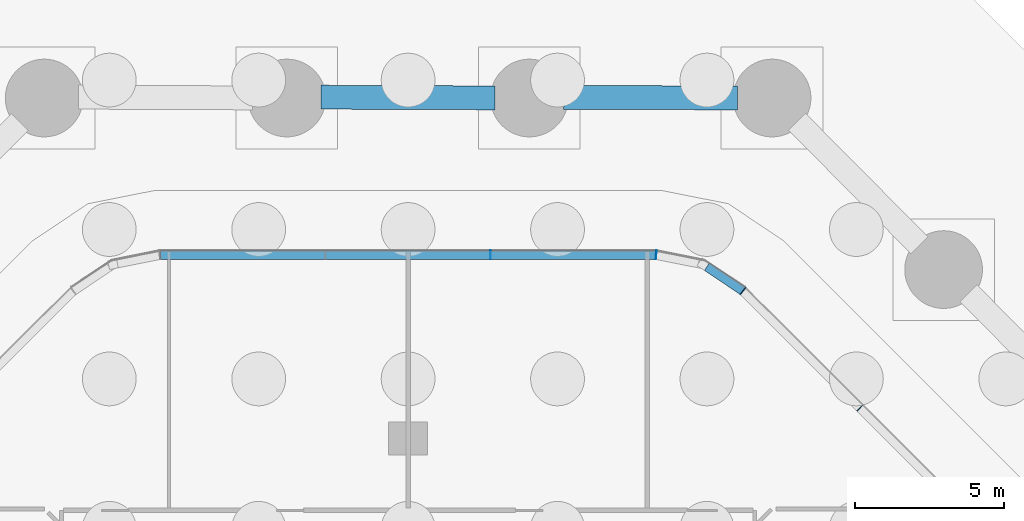
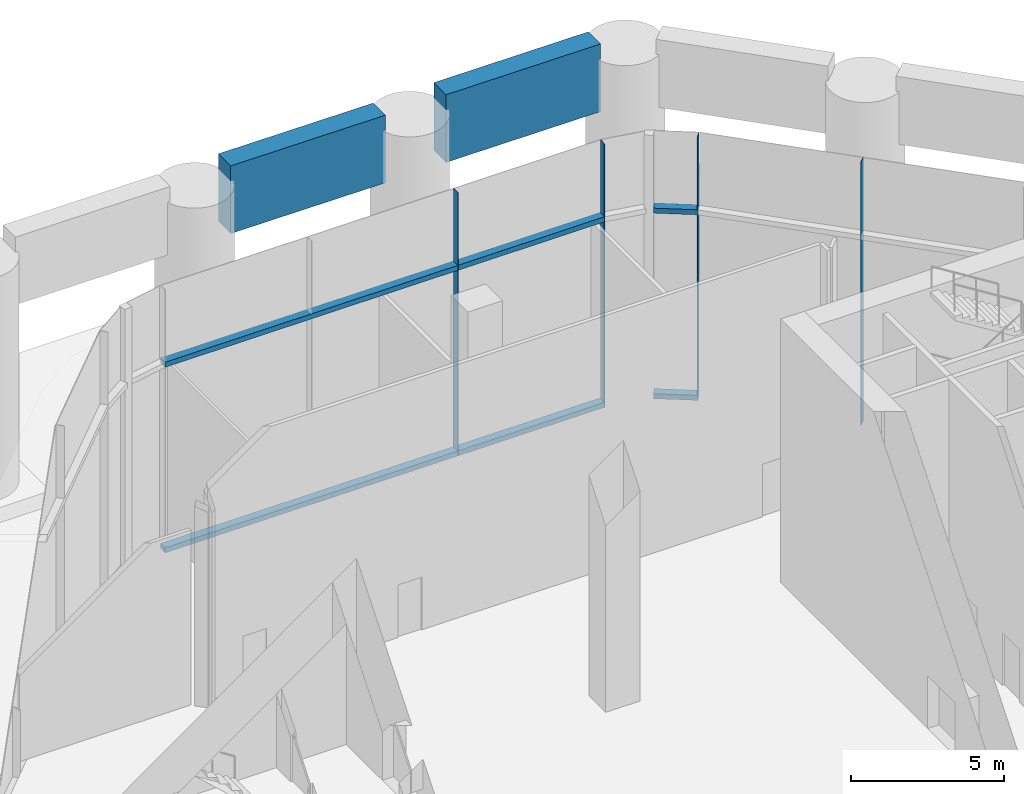
# One storey, part 18 of 31: 8 members, 2 beams, 4 elements without a shape of their own.
"""IFC4 building model written with IfcOpenShell, lengths in metres."""

import ifcopenshell
import ifcopenshell.guid

model = None  # the IFC model being written
_history = None  # IfcOwnerHistory: only IFC2X3 demands one
_inside = {}  # id of a spatial element -> (the spatial element, [elements in it])
_under = {}  # id of a project, library or spatial element -> (it, [spatial elements below it])
_declared = {}  # id of a project -> (the project, [libraries it declares])
_typed = {}  # id of a type object -> (the type object, [elements of that type])
_made_of = {}  # id of a material, layer set ... -> (it, [elements and type objects made of it])


def new_model(schema):
    """Start an empty IFC model of exactly this schema.

    Asked for "IFC4X3", IfcOpenShell would pick the latest addendum, in which some entities
    have other attributes; the version numbers below select the first issue.
    IFC2X3 requires an IfcOwnerHistory on every rooted entity: one is made here for all.
    """
    global model, _history
    if schema == "IFC4X3":
        model = ifcopenshell.file(schema_version=(4, 3, 0, 0))
    else:
        model = ifcopenshell.file(schema=schema)
    _inside.clear()
    _under.clear()
    _declared.clear()
    _typed.clear()
    _made_of.clear()
    _history = None
    if model.schema == "IFC2X3":
        org = make("IfcOrganization", Name="unknown")
        user = make(
            "IfcPersonAndOrganization",
            ThePerson=make("IfcPerson", FamilyName="unknown"),
            TheOrganization=org,
        )
        app = make(
            "IfcApplication",
            ApplicationDeveloper=org,
            Version="unknown",
            ApplicationFullName="unknown",
            ApplicationIdentifier="unknown",
        )
        _history = make(
            "IfcOwnerHistory",
            OwningUser=user,
            OwningApplication=app,
            ChangeAction="ADDED",
            CreationDate=0,
        )
    return model


def make(cls, **values):
    """One entity of the class cls with the attributes given. An attribute that is None is left unset."""
    return model.create_entity(
        cls, **{name: value for name, value in values.items() if value is not None}
    )


def rooted(cls, **values):
    """An entity with a GlobalId (a new one), such as an element, a storey or a relation."""
    return make(cls, GlobalId=ifcopenshell.guid.new(), OwnerHistory=_history, **values)


def si_unit(unit_type, name, prefix=None):
    """IfcSIUnit, for example si_unit("LENGTHUNIT", "METRE", prefix="MILLI")."""
    return make("IfcSIUnit", UnitType=unit_type, Prefix=prefix, Name=name)


def assignment(units):
    """IfcUnitAssignment: the units of a project."""
    return None if units is None else make("IfcUnitAssignment", Units=units)


def point(xyz):
    """IfcCartesianPoint."""
    return None if xyz is None else make("IfcCartesianPoint", Coordinates=xyz)


def direction(xyz):
    """IfcDirection."""
    return None if xyz is None else make("IfcDirection", DirectionRatios=xyz)


def frame(location, z_axis=None, x_axis=None):
    """IfcAxis2Placement3D, a coordinate frame: its origin and axes. An axis left out is left unset."""
    return make(
        "IfcAxis2Placement3D",
        Location=point(location),
        Axis=direction(z_axis),
        RefDirection=direction(x_axis),
    )


def frame_2d(location, x_axis=None):
    """IfcAxis2Placement2D, a coordinate frame in the plane: its origin and x axis."""
    return make(
        "IfcAxis2Placement2D", Location=point(location), RefDirection=direction(x_axis)
    )


def origin():
    """The frame at (0, 0, 0) with its axes left unset."""
    return frame((0.0, 0.0, 0.0))


def origin_2d():
    """The frame at (0, 0) in the plane with its x axis left unset."""
    return frame_2d((0.0, 0.0))


def place(relative_to, where):
    """IfcLocalPlacement: puts the frame where relative to a parent placement (None: the world)."""
    return make(
        "IfcLocalPlacement", PlacementRelTo=relative_to, RelativePlacement=where
    )


def context(
    kind, dimensions, precision=None, world=None, true_north=None, identifier=None
):
    """IfcGeometricRepresentationContext, for example the 3D "Model" context."""
    return make(
        "IfcGeometricRepresentationContext",
        ContextIdentifier=identifier,
        ContextType=kind,
        CoordinateSpaceDimension=dimensions,
        Precision=precision,
        WorldCoordinateSystem=world,
        TrueNorth=true_north,
    )


def subcontext(parent, identifier, kind, view, scale=None):
    """IfcGeometricRepresentationSubContext, for example "Body" below "Model"."""
    return make(
        "IfcGeometricRepresentationSubContext",
        ContextIdentifier=identifier,
        ContextType=kind,
        ParentContext=parent,
        TargetScale=scale,
        TargetView=view,
    )


def project(units=None, contexts=None):
    """IfcProject with its units and contexts."""
    return rooted(
        "IfcProject",
        Name="project",
        RepresentationContexts=contexts,
        UnitsInContext=assignment(units),
    )


def spatial(cls, under=None, at=None, **own):
    """A site, building, storey or space (cls), placed at a placement, below another one or the project."""
    s = rooted(cls, ObjectPlacement=at, **own)
    if under is not None:
        _under.setdefault(under.id(), (under, []))[1].append(s)
    return s


def profile(cls, at=None, kind="AREA", **sizes):
    """A parametric profile (cls). Its sizes go by their IFC names, for example OverallWidth=200.0."""
    return make(cls, ProfileType=kind, Position=at, **sizes)


def rectangle(**sizes):
    """IfcRectangleProfileDef."""
    return profile("IfcRectangleProfileDef", **sizes)


def extrude(swept, where, along, depth):
    """IfcExtrudedAreaSolid: the profile swept, set in the frame where, extruded along a direction by depth."""
    return make(
        "IfcExtrudedAreaSolid",
        SweptArea=swept,
        Position=where,
        ExtrudedDirection=direction(along),
        Depth=depth,
    )


def shape(context_of_items, identifier, shape_type, items):
    """IfcShapeRepresentation: the items that make up one representation, for example the "Body"."""
    return make(
        "IfcShapeRepresentation",
        ContextOfItems=context_of_items,
        RepresentationIdentifier=identifier,
        RepresentationType=shape_type,
        Items=items,
    )


def material(Name=None, Category=None):
    """IfcMaterial."""
    return make("IfcMaterial", Name=Name, Category=Category)


def material_profile(
    of_material, cross_section, Name=None, Category=None, Priority=None
):
    """IfcMaterialProfile: a cross section and its material."""
    return make(
        "IfcMaterialProfile",
        Name=Name,
        Material=of_material,
        Profile=cross_section,
        Priority=Priority,
        Category=Category,
    )


def profile_set(profiles, Name=None, composite=None):
    """IfcMaterialProfileSet."""
    return make(
        "IfcMaterialProfileSet",
        Name=Name,
        MaterialProfiles=profiles,
        CompositeProfile=composite,
    )


def made_of(thing, what):
    """Note that an element or type object is made of a material, layer set ...; save() writes the relation."""
    if what is not None:
        _made_of.setdefault(what.id(), (what, []))[1].append(thing)
    return thing


def type_object(cls, material=None, **own):
    """A type object (cls), such as IfcWallType, which elements share."""
    return made_of(rooted(cls, **own), material)


def element(
    cls,
    number,
    at=None,
    inside=None,
    cuts=None,
    type_object=None,
    material=None,
    context=None,
    identifier="Body",
    shape_type=None,
    held_by="IfcProductDefinitionShape",
    body=None,
    shapes=None,
    **own,
):
    """One element of the class cls, such as IfcWall. Its Tag is "e" and its number.

    at: its placement. inside: the storey or other place that contains it. cuts: it is an
    opening in that element (IfcRelVoidsElement). A single representation is given by context,
    identifier, shape_type and body (its items); several are given by shapes. held_by: the class
    of the entity that holds the representations. save() writes the other relations.
    """
    e = rooted(cls, Tag="e%d" % number, ObjectPlacement=at, **own)
    if body is not None:
        shapes = [shape(context, identifier, shape_type, body)]
    if shapes is not None:
        e.Representation = make(held_by, Representations=shapes)
    if inside is not None:
        _inside.setdefault(inside.id(), (inside, []))[1].append(e)
    if cuts is not None:
        rooted(
            "IfcRelVoidsElement", RelatingBuildingElement=cuts, RelatedOpeningElement=e
        )
    if type_object is not None:
        _typed.setdefault(type_object.id(), (type_object, []))[1].append(e)
    return made_of(e, material)


def aggregate(whole, parts):
    """IfcRelAggregates: a whole, such as a stair, and the parts it consists of."""
    return rooted("IfcRelAggregates", RelatingObject=whole, RelatedObjects=parts)


def save(model, path):
    """Write the relations noted so far, then the file.

    IfcRelAggregates (storeys below a building ...), IfcRelContainedInSpatialStructure (elements
    in a storey), IfcRelDefinesByType, IfcRelAssociatesMaterial and IfcRelDeclares: one each for
    every whole, place, type object, material and project.
    """
    for whole, parts in _under.values():
        aggregate(whole, parts)
    for where, things in _inside.values():
        rooted(
            "IfcRelContainedInSpatialStructure",
            RelatedElements=things,
            RelatingStructure=where,
        )
    for kind, things in _typed.values():
        rooted("IfcRelDefinesByType", RelatedObjects=things, RelatingType=kind)
    for what, things in _made_of.values():
        rooted("IfcRelAssociatesMaterial", RelatedObjects=things, RelatingMaterial=what)
    for by, libraries in _declared.values():
        rooted("IfcRelDeclares", RelatingContext=by, RelatedDefinitions=libraries)
    model.write(path)


model = new_model("IFC4")

# Units and contexts
model_context = context("Model", 3, precision=1e-05, world=origin(), true_north=direction((0.0, 1.0)))
body_context = subcontext(model_context, "Body", "Model", "MODEL_VIEW")
ifc_project = project(units=[si_unit("LENGTHUNIT", "METRE"), si_unit("AREAUNIT", "SQUARE_METRE"), si_unit("VOLUMEUNIT", "CUBIC_METRE"), si_unit("PLANEANGLEUNIT", "RADIAN"), si_unit("MASSUNIT", "GRAM", prefix="KILO")], contexts=[model_context])

# Site, building, storey
site_placement = place(None, origin())
site = spatial("IfcSite", under=ifc_project, at=site_placement, CompositionType="ELEMENT")
building_placement = place(site_placement, origin())
building = spatial("IfcBuilding", under=site, at=building_placement, Name="Orlundy Tower", CompositionType="ELEMENT")
storey_placement = place(building_placement, origin())
storey = spatial("IfcBuildingStorey", under=building, at=storey_placement, Name="L00", CompositionType="ELEMENT", Elevation=0.0)

# Curtain wall, member
ifc_material_1 = material(Name="Aluminium bronze anodised", Category="aluminium")
curtain_wall_type = type_object("IfcCurtainWallType", Name="CW3 wall", PredefinedType="NOTDEFINED", material=ifc_material_1)
curtain_wall_1_placement = place(storey_placement, origin())
curtain_wall_1 = element("IfcCurtainWall", 1, at=curtain_wall_1_placement, inside=storey, type_object=curtain_wall_type, Name="CW3 run 011", PredefinedType="NOTDEFINED")
ifc_material_2 = material(Name="Toughened glass", Category="glass")
ifc_material_profile_1 = material_profile(ifc_material_2, rectangle(XDim=0.300048828125, YDim=0.01904296875, at=origin_2d()), Name="CW3 glass fin 19x300")
ifc_profile_set_1 = profile_set([ifc_material_profile_1], Name="Toughened glass")
member_type_1 = type_object("IfcMemberType", Name="CW3 glass fin 19x300", PredefinedType="MULLION", material=ifc_profile_set_1)
member_1_placement = place(storey_placement, frame((2.76123046875, 24.14990234375, -0.39990234375), z_axis=(0.0, 0.0, 1.0), x_axis=(0.0, 1.0, 0.0)))
member_1 = element("IfcMember", 2, at=member_1_placement, type_object=member_type_1, Name="CW3 mullion 20", PredefinedType="MULLION", context=body_context, shape_type="SweptSolid", body=[
    extrude(rectangle(XDim=0.300048828125, YDim=0.01904296875, at=origin_2d()), origin(), (0.0, 0.0, 1.0), 10.5),
])

curtain_wall_2_placement = place(storey_placement, origin())
curtain_wall_2 = element("IfcCurtainWall", 3, at=curtain_wall_2_placement, inside=storey, type_object=curtain_wall_type, Name="CW3 run 012", PredefinedType="NOTDEFINED")
member_2_placement = place(storey_placement, frame((8.298828125, 24.14990234375, -0.39990234375), z_axis=(0.0, 0.0, 1.0), x_axis=(0.097849916421, 0.995201182604, 0.0)))
member_2 = element("IfcMember", 4, at=member_2_placement, type_object=member_type_1, Name="CW3 mullion 21", PredefinedType="MULLION", context=body_context, shape_type="SweptSolid", body=[
    extrude(rectangle(XDim=0.300048828125, YDim=0.01904296875, at=origin_2d()), origin(), (0.0, 0.0, 1.0), 10.5),
])
aggregate(curtain_wall_2, [member_2])

# Curtain wall, members
curtain_wall_3_placement = place(storey_placement, origin())
curtain_wall_3 = element("IfcCurtainWall", 5, at=curtain_wall_3_placement, inside=storey, type_object=curtain_wall_type, Name="CW3 run 014", PredefinedType="NOTDEFINED")
member_3_placement = place(storey_placement, frame((11.207763671875, 22.944580078125, -0.39990234375), z_axis=(0.0, 0.0, 1.0), x_axis=(0.63467582541, 0.772778491315, 0.0)))
member_3 = element("IfcMember", 6, at=member_3_placement, type_object=member_type_1, Name="CW3 mullion 23", PredefinedType="MULLION", context=body_context, shape_type="SweptSolid", body=[
    extrude(rectangle(XDim=0.300048828125, YDim=0.01904296875, at=origin_2d()), origin(), (0.0, 0.0, 1.0), 10.5),
])
member_4_placement = place(storey_placement, frame((15.123291015625, 19.02880859375, -0.39990234375), z_axis=(0.0, 0.0, 1.0), x_axis=(0.707106781187, 0.707106781187, 0.0)))
member_4 = element("IfcMember", 7, at=member_4_placement, type_object=member_type_1, Name="CW3 mullion 24", PredefinedType="MULLION", context=body_context, shape_type="SweptSolid", body=[
    extrude(rectangle(XDim=0.300048828125, YDim=0.01904296875, at=origin_2d()), origin(), (0.0, 0.0, 1.0), 10.5),
])
aggregate(curtain_wall_3, [member_3, member_4])

# Member
ifc_material_3 = material(Name="Aluminium bronze anodised", Category="aluminium")
ifc_material_profile_2 = material_profile(ifc_material_3, rectangle(XDim=0.300048828125, YDim=0.199951171875, at=origin_2d()), Name="CW3 transom 300x200")
ifc_profile_set_2 = profile_set([ifc_material_profile_2], Name="Aluminium bronze anodised")
member_type_2 = type_object("IfcMemberType", Name="CW3 transom 300x200", PredefinedType="USERDEFINED", material=ifc_profile_set_2)
member_5_placement = place(storey_placement, frame((-8.283935546875, 24.14990234375, -0.300048828125), z_axis=(1.0, 0.0, 0.0), x_axis=(0.0, 1.0, 0.0)))
member_5 = element("IfcMember", 8, at=member_5_placement, type_object=member_type_2, Name="CW3 transom", ObjectType="TRANSOM", PredefinedType="USERDEFINED", context=body_context, shape_type="SweptSolid", body=[
    extrude(rectangle(XDim=0.300048828125, YDim=0.199951171875, at=origin_2d()), origin(), (0.0, 0.0, 1.0), 16.56787109375),
])

member_6_placement = place(storey_placement, frame((-8.283935546875, 24.14990234375, 7.10009765625), z_axis=(1.0, 0.0, 0.0), x_axis=(0.0, 1.0, 0.0)))
member_6 = element("IfcMember", 9, at=member_6_placement, type_object=member_type_2, Name="CW3 transom", ObjectType="TRANSOM", PredefinedType="USERDEFINED", context=body_context, shape_type="SweptSolid", body=[
    extrude(rectangle(XDim=0.300048828125, YDim=0.199951171875, at=origin_2d()), origin(), (0.0, 0.0, 1.0), 16.56787109375),
])

aggregate(curtain_wall_1, [member_1, member_5, member_6])

# Curtain wall, members
curtain_wall_4_placement = place(storey_placement, origin())
curtain_wall_4 = element("IfcCurtainWall", 10, at=curtain_wall_4_placement, inside=storey, type_object=curtain_wall_type, Name="CW3 run 013", PredefinedType="NOTDEFINED")
member_7_placement = place(storey_placement, frame((9.998291015625, 23.75390625, -0.300048828125), z_axis=(0.831005812651, -0.556263731822, 0.0), x_axis=(0.556263731822, 0.831005812651, 0.0)))
member_7 = element("IfcMember", 11, at=member_7_placement, type_object=member_type_2, Name="CW3 transom", ObjectType="TRANSOM", PredefinedType="USERDEFINED", context=body_context, shape_type="SweptSolid", body=[
    extrude(rectangle(XDim=0.300048828125, YDim=0.199951171875, at=origin_2d()), origin(), (0.0, 0.0, 1.0), 1.4404296875),
])
member_8_placement = place(storey_placement, frame((9.998291015625, 23.75390625, 7.10009765625), z_axis=(0.831005812651, -0.556263731822, 0.0), x_axis=(0.556263731822, 0.831005812651, 0.0)))
member_8 = element("IfcMember", 12, at=member_8_placement, type_object=member_type_2, Name="CW3 transom", ObjectType="TRANSOM", PredefinedType="USERDEFINED", context=body_context, shape_type="SweptSolid", body=[
    extrude(rectangle(XDim=0.300048828125, YDim=0.199951171875, at=origin_2d()), origin(), (0.0, 0.0, 1.0), 1.4404296875),
])
aggregate(curtain_wall_4, [member_7, member_8])

# Beams
ifc_material_4 = material(Name="Concrete C80/95", Category="concrete")
ifc_material_profile_3 = material_profile(ifc_material_4, rectangle(XDim=0.800048828125, YDim=2.699951171875, at=origin_2d()), Name="RC800X2700")
ifc_profile_set_3 = profile_set([ifc_material_profile_3], Name="Concrete C80/95")
beam_type = type_object("IfcBeamType", Name="RC FASCIA BEAM RC800X2700 C80/95", PredefinedType="BEAM", material=ifc_profile_set_3)
beam_1_placement = place(storey_placement, frame((-2.9091796875, 29.42822265625, 8.75), z_axis=(0.999991886231, -0.004028333728, 0.0), x_axis=(0.004028333728, 0.999991886231, 0.0)))
element("IfcBeam", 13, at=beam_1_placement, inside=storey, type_object=beam_type, Name="Fascia beam 22", PredefinedType="BEAM", context=body_context, shape_type="SweptSolid", body=[
    extrude(rectangle(XDim=0.800048828125, YDim=2.699951171875, at=origin_2d()), origin(), (0.0, 0.0, 1.0), 5.818115234375),
])
beam_2_placement = place(storey_placement, frame((5.208740234375, 29.419677734375, 8.75), z_axis=(0.999996049516, -0.002810863203, 0.0), x_axis=(0.002810863203, 0.999996049516, 0.0)))
element("IfcBeam", 14, at=beam_2_placement, inside=storey, type_object=beam_type, Name="Fascia beam 23", PredefinedType="BEAM", context=body_context, shape_type="SweptSolid", body=[
    extrude(rectangle(XDim=0.800048828125, YDim=2.699951171875, at=origin_2d()), origin(), (0.0, 0.0, 1.0), 5.8193359375),
])

save(model, "model.ifc")
